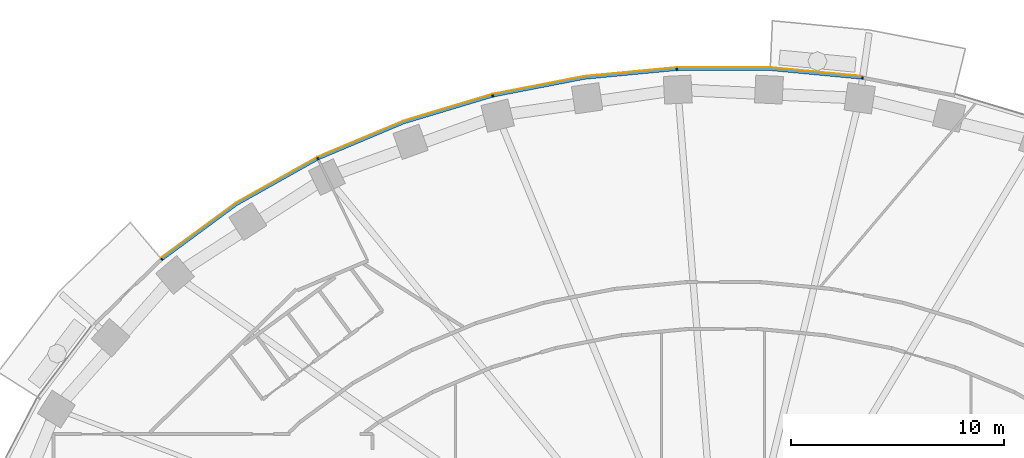
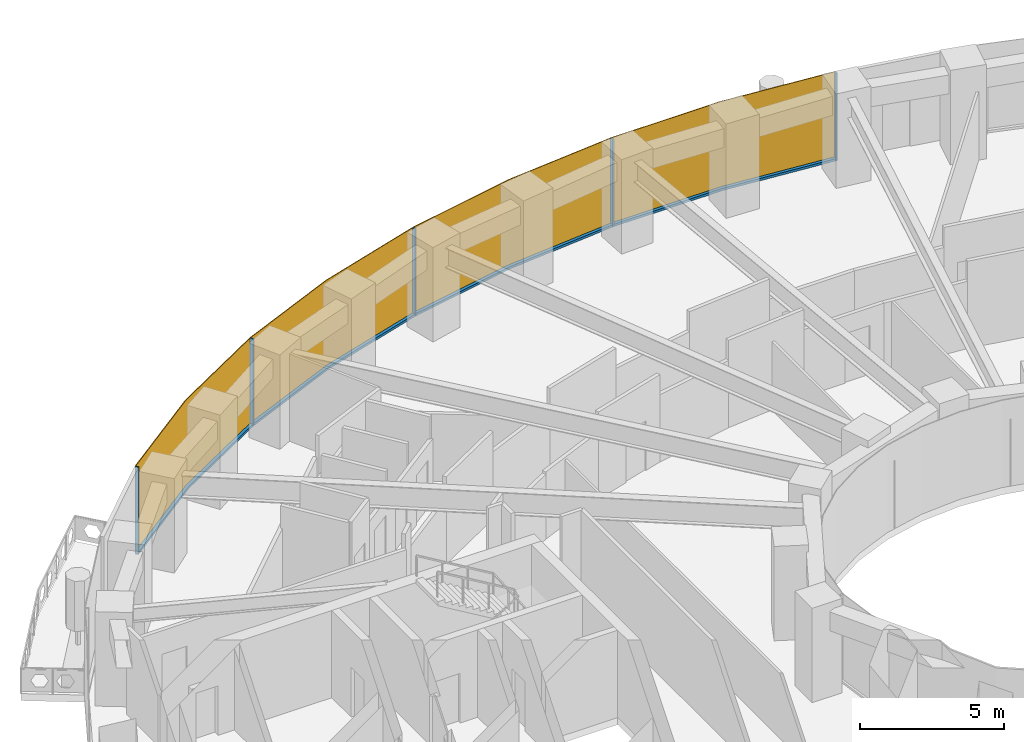
# One storey, part 12 of 17: 9 members, 1 curtain wall.
"""IFC4 building model written with IfcOpenShell, lengths in metres."""

from ifc_helpers import new_model, si_unit, direction, frame, origin, origin_2d, place, context, subcontext, project, spatial, polyline, rectangle, outline, extrude, material, layer, layer_set, material_profile, profile_set, type_object, element, aggregate, save


model = new_model("IFC4")

# Units and contexts
model_context = context("Model", 3, precision=1e-05, world=origin(), true_north=direction((0.0, 1.0)))
body_context = subcontext(model_context, "Body", "Model", "MODEL_VIEW")
ifc_project = project(units=[si_unit("LENGTHUNIT", "METRE"), si_unit("AREAUNIT", "SQUARE_METRE"), si_unit("VOLUMEUNIT", "CUBIC_METRE"), si_unit("PLANEANGLEUNIT", "RADIAN"), si_unit("MASSUNIT", "GRAM", prefix="KILO")], contexts=[model_context])

# Member
ifc_material_1 = material(Name="Aluminium 6063-T6 black anodised", Category="aluminium")
ifc_material_profile = material_profile(ifc_material_1, rectangle(XDim=0.1201171875, YDim=0.06005859375, at=origin_2d()), Name="120x60")
ifc_profile_set = profile_set([ifc_material_profile], Name="Aluminium 6063-T6 black anodised")
member_type_1 = type_object("IfcMemberType", Name="ENV-MULLION-A-120", PredefinedType="MULLION", material=ifc_profile_set)
site_placement = place(None, origin())
building_placement = place(site_placement, origin())
storey_placement = place(building_placement, frame((0.0, 0.0, 112.0)))
member_1_placement = place(storey_placement, frame((6.54638671875, 27.440185546875, 0.0), z_axis=(0.0, 0.0, 1.0), x_axis=(-0.143082012705, -0.989710835366, 0.0)))
member_1 = element("IfcMember", 1, at=member_1_placement, type_object=member_type_1, Name="Mullion A radial 11", PredefinedType="MULLION", context=body_context, shape_type="SweptSolid", body=[
    extrude(rectangle(XDim=0.1201171875, YDim=0.06005859375, at=origin_2d()), origin(), (0.0, 0.0, 1.0), 3.699951171875),
])

member_2_placement = place(storey_placement, frame((-2.188720703125, 27.856201171875, 0.0), z_axis=(0.0, 0.0, 1.0), x_axis=(0.047557873581, -0.998868484166, 0.0)))
member_2 = element("IfcMember", 2, at=member_2_placement, type_object=member_type_1, Name="Mullion A radial 13", PredefinedType="MULLION", context=body_context, shape_type="SweptSolid", body=[
    extrude(rectangle(XDim=0.1201171875, YDim=0.06005859375, at=origin_2d()), origin(), (0.0, 0.0, 1.0), 3.699951171875),
])

member_3_placement = place(storey_placement, frame((-10.84326171875, 26.60498046875, 0.0), z_axis=(0.0, 0.0, 1.0), x_axis=(0.239799081534, -0.970822538106, 0.0)))
member_3 = element("IfcMember", 3, at=member_3_placement, type_object=member_type_1, Name="Mullion A radial 15", PredefinedType="MULLION", context=body_context, shape_type="SweptSolid", body=[
    extrude(rectangle(XDim=0.1201171875, YDim=0.06005859375, at=origin_2d()), origin(), (0.0, 0.0, 1.0), 3.699951171875),
])

member_4_placement = place(storey_placement, frame((-19.06787109375, 23.6474609375, 0.0), z_axis=(0.0, 0.0, 1.0), x_axis=(0.439237769837, -0.898370848563, 0.0)))
member_4 = element("IfcMember", 4, at=member_4_placement, type_object=member_type_1, Name="Mullion A radial 17", PredefinedType="MULLION", context=body_context, shape_type="SweptSolid", body=[
    extrude(rectangle(XDim=0.1201171875, YDim=0.06005859375, at=origin_2d()), origin(), (0.0, 0.0, 1.0), 3.699951171875),
])

member_5_placement = place(storey_placement, frame((-26.403564453125, 18.9130859375, 0.0), z_axis=(0.0, 0.0, 1.0), x_axis=(0.646451313783, -0.762955240435, 0.0)))
member_5 = element("IfcMember", 5, at=member_5_placement, type_object=member_type_1, Name="Mullion A radial 19", PredefinedType="MULLION", context=body_context, shape_type="SweptSolid", body=[
    extrude(rectangle(XDim=0.1201171875, YDim=0.06005859375, at=origin_2d()), origin(), (0.0, 0.0, 1.0), 3.699951171875),
])

ifc_material_2 = material(Name="Aluminium 6063-T6 black anodised", Category="aluminium")
member_type_2 = type_object("IfcMemberType", Name="ENV-TRANSOM-A", PredefinedType="USERDEFINED", material=ifc_material_2)
member_6_placement = place(storey_placement, origin())
member_6 = element("IfcMember", 6, at=member_6_placement, type_object=member_type_2, Name="Transom A radial 11-13", ObjectType="TRANSOM", PredefinedType="USERDEFINED", context=body_context, shape_type="SweptSolid", body=[
    extrude(outline(polyline([(6.527099609375, 27.502197265625), (2.191650390625, 27.916015625), (-2.163818359375, 27.916015625), (-2.157958984375, 27.7958984375), (2.185791015625, 27.7958984375), (6.510009765625, 27.38330078125), (6.527099609375, 27.502197265625)])), origin(), (0.0, 0.0, 1.0), 0.10009765625),
])

member_7_placement = place(storey_placement, origin())
member_7 = element("IfcMember", 7, at=member_7_placement, type_object=member_type_2, Name="Transom A radial 13-15", ObjectType="TRANSOM", PredefinedType="USERDEFINED", context=body_context, shape_type="SweptSolid", body=[
    extrude(outline(polyline([(-2.219482421875, 27.913330078125), (-6.55517578125, 27.49951171875), (-10.830078125, 26.66845703125), (-10.80126953125, 26.552001953125), (-6.537841796875, 27.380615234375), (-2.2138671875, 27.793212890625), (-2.219482421875, 27.913330078125)])), origin(), (0.0, 0.0, 1.0), 0.10009765625),
])

member_8_placement = place(storey_placement, origin())
member_8 = element("IfcMember", 8, at=member_8_placement, type_object=member_type_2, Name="Transom A radial 15-17", ObjectType="TRANSOM", PredefinedType="USERDEFINED", context=body_context, shape_type="SweptSolid", body=[
    extrude(outline(polyline([(-10.884521484375, 26.655029296875), (-15.054443359375, 25.400146484375), (-19.068359375, 23.71240234375), (-19.015380859375, 23.604248046875), (-15.013916015625, 25.287109375), (-10.855712890625, 26.53857421875), (-10.884521484375, 26.655029296875)])), origin(), (0.0, 0.0, 1.0), 0.10009765625),
])

member_9_placement = place(storey_placement, origin())
member_9 = element("IfcMember", 9, at=member_9_placement, type_object=member_type_2, Name="Transom A radial 17-19", ObjectType="TRANSOM", PredefinedType="USERDEFINED", context=body_context, shape_type="SweptSolid", body=[
    extrude(outline(polyline([(-19.11865234375, 23.687744140625), (-22.9150390625, 21.556884765625), (-26.419921875, 18.975341796875), (-26.342041015625, 18.883544921875), (-22.85009765625, 21.455810546875), (-19.06591796875, 23.57958984375), (-19.11865234375, 23.687744140625)])), origin(), (0.0, 0.0, 1.0), 0.10009765625),
])

# Site, building, storey
site = spatial("IfcSite", under=ifc_project, at=site_placement, CompositionType="ELEMENT")
building = spatial("IfcBuilding", under=site, at=building_placement, Name="Noorbagh Ring Tower", CompositionType="ELEMENT")
storey = spatial("IfcBuildingStorey", under=building, at=storey_placement, Name="L25", CompositionType="ELEMENT", Elevation=112.0)

# Curtain wall
ifc_material_3 = material(Name="Glass dark tinted laminated", Category="glass")
ifc_layer = layer(ifc_material_3, 0.031982421875)
ifc_layer_set = layer_set([ifc_layer], Name="Glass dark tinted laminated")
curtain_wall_type = type_object("IfcCurtainWallType", Name="ENV-CW-A", PredefinedType="NOTDEFINED", material=ifc_layer_set)
curtain_wall_placement = place(storey_placement, origin())
curtain_wall = element("IfcCurtainWall", 10, at=curtain_wall_placement, inside=storey, type_object=curtain_wall_type, Name="Curtain wall A R11", PredefinedType="NOTDEFINED", context=body_context, shape_type="SweptSolid", body=[
    extrude(outline(polyline([(6.539794921875, 27.533203125), (2.193115234375, 27.947998046875), (-2.193115234375, 27.947998046875), (-6.559814453125, 27.53125), (-10.865234375, 26.6943359375), (-15.065185546875, 25.430419921875), (-19.108154296875, 23.730224609375), (-22.9326171875, 21.583740234375), (-26.447021484375, 18.9951171875), (-26.42626953125, 18.970703125), (-22.9150390625, 21.556884765625), (-19.093994140625, 23.701416015625), (-15.054443359375, 25.400146484375), (-10.857666015625, 26.6630859375), (-6.55517578125, 27.49951171875), (-2.191650390625, 27.916015625), (2.191650390625, 27.916015625), (6.53515625, 27.50146484375), (6.539794921875, 27.533203125)])), origin(), (0.0, 0.0, 1.0), 3.699951171875),
])

aggregate(curtain_wall, [member_1, member_2, member_3, member_4, member_5, member_6, member_7, member_8, member_9])

save(model, "model.ifc")
